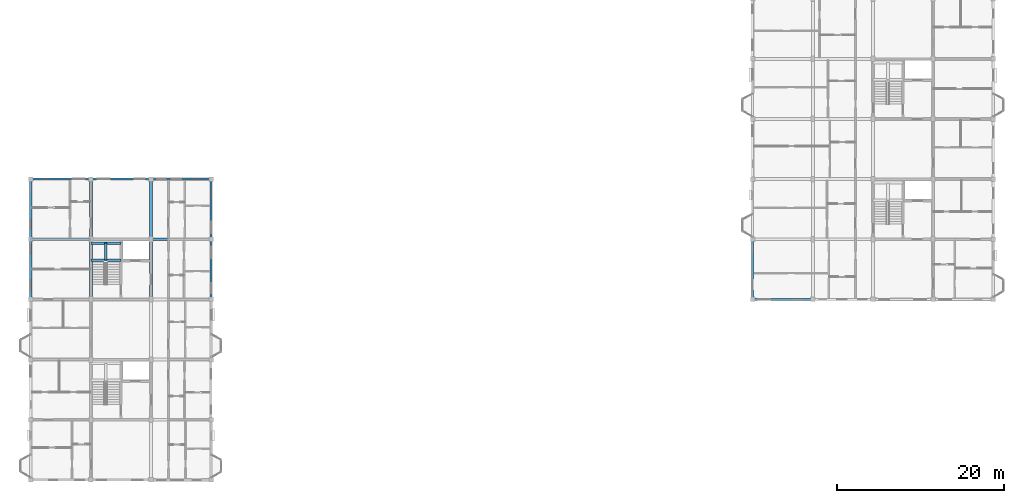
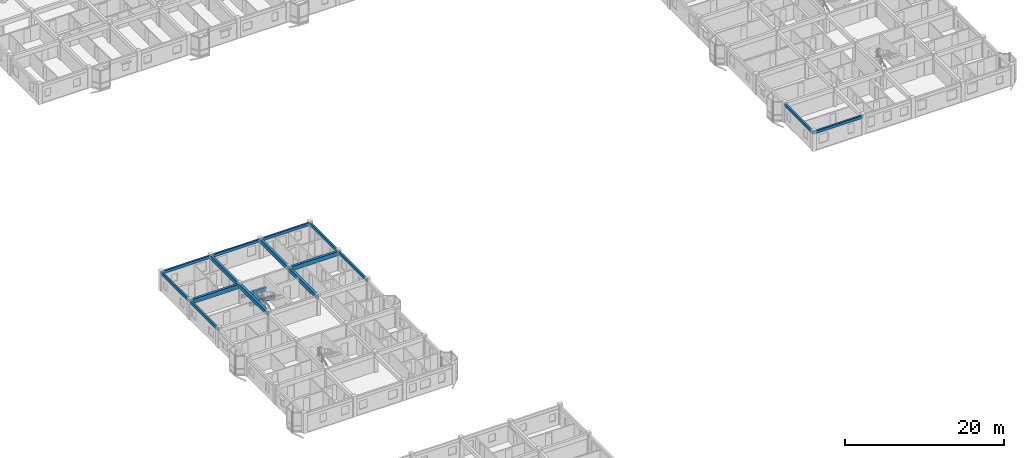
# One storey, part 20 of 77: 18 beams.
"""IFC4 building model written with IfcOpenShell, lengths in metres."""

from ifc_helpers import new_model, si_unit, direction, frame, origin, origin_2d, place, context, subcontext, project, spatial, rectangle, extrude, material, material_profile, profile_set, type_object, element, save


model = new_model("IFC4")

# Units and contexts
model_context = context("Model", 3, precision=1e-05, world=origin(), true_north=direction((0.0, 1.0)))
body_context = subcontext(model_context, "Body", "Model", "MODEL_VIEW")
ifc_project = project(units=[si_unit("LENGTHUNIT", "METRE"), si_unit("AREAUNIT", "SQUARE_METRE"), si_unit("VOLUMEUNIT", "CUBIC_METRE"), si_unit("PLANEANGLEUNIT", "RADIAN"), si_unit("MASSUNIT", "GRAM", prefix="KILO"), si_unit("THERMODYNAMICTEMPERATUREUNIT", "KELVIN"), si_unit("POWERUNIT", "WATT")], contexts=[model_context])

# Site, building, storey
site_placement = place(None, origin())
site = spatial("IfcSite", under=ifc_project, at=site_placement, CompositionType="ELEMENT")
building_placement = place(site_placement, origin())
building = spatial("IfcBuilding", under=site, at=building_placement, Name="Tavuni Mirador Residences", CompositionType="ELEMENT")
storey_placement = place(building_placement, frame((0.0, 0.0, 17.10009765625)))
storey = spatial("IfcBuildingStorey", under=building, at=storey_placement, Name="L05", CompositionType="ELEMENT", Elevation=17.10009765625)

# Beams
ifc_material = material(Name="Precast concrete C40/50", Category="concrete")
ifc_material_profile_1 = material_profile(ifc_material, rectangle(XDim=0.300048828125, YDim=0.5, at=origin_2d()), Name="PC 300x500", Category="concrete")
ifc_profile_set_1 = profile_set([ifc_material_profile_1], Name="Precast concrete C40/50")
beam_type_1 = type_object("IfcBeamType", Name="BT-B500", PredefinedType="BEAM", material=ifc_profile_set_1)
for number, where, z_axis, x_axis, name in (
    (1, (10.800048828125, 91.10009765625, 1.14501953125), (1.0, 0.0, 0.0), (0.0, 1.0, 0.0), "HLB1-C4-L05"),
    (2, (10.800048828125, 93.14990234375, 1.14501953125), (1.0, 0.0, 0.0), (0.0, 1.0, 0.0), "HLB2-C4-L05"),
):
    element("IfcBeam", number, at=place(storey_placement, frame(where, z_axis=z_axis, x_axis=x_axis)), inside=storey, type_object=beam_type_1, Name=name, PredefinedType="BEAM", context=body_context, shape_type="SweptSolid", body=[
        extrude(rectangle(XDim=0.300048828125, YDim=0.5, at=origin_2d()), origin(), (0.0, 0.0, 1.0), 3.599853515625),
    ])
beam_1_placement = place(storey_placement, frame((12.60009765625, 91.10009765625, 1.14501953125), z_axis=(0.0, 1.0, 0.0), x_axis=(-1.0, 0.0, 0.0)))
element("IfcBeam", 3, at=beam_1_placement, inside=storey, type_object=beam_type_1, Name="HLB3-C4-L05", PredefinedType="BEAM", context=body_context, shape_type="SweptSolid", body=[
    extrude(rectangle(XDim=0.300048828125, YDim=0.5, at=origin_2d()), origin(), (0.0, 0.0, 1.0), 2.0498046875),
])
ifc_material_profile_2 = material_profile(ifc_material, rectangle(XDim=0.35009765625, YDim=0.60009765625, at=origin_2d()), Name="PC 350x600", Category="concrete")
ifc_profile_set_2 = profile_set([ifc_material_profile_2], Name="Precast concrete C40/50")
beam_type_2 = type_object("IfcBeamType", Name="BT-B600", PredefinedType="BEAM", material=ifc_profile_set_2)
beam_2_placement = place(storey_placement, frame((10.800048828125, 86.39990234375, 2.60986328125), z_axis=(0.0, 1.0, 0.0), x_axis=(-1.0, 0.0, 0.0)))
element("IfcBeam", 4, at=beam_2_placement, inside=storey, type_object=beam_type_2, Name="BMY-BLK-B-L05-01-03", PredefinedType="BEAM", context=body_context, shape_type="SweptSolid", body=[
    extrude(rectangle(XDim=0.35009765625, YDim=0.60009765625, at=origin_2d()), origin(), (0.0, 0.0, 1.0), 7.2001953125),
])
beam_3_placement = place(storey_placement, frame((10.800048828125, 93.60009765625, 2.60986328125), z_axis=(0.0, 1.0, 0.0), x_axis=(-1.0, 0.0, 0.0)))
element("IfcBeam", 5, at=beam_3_placement, inside=storey, type_object=beam_type_2, Name="BMY-BLK-B-L05-01-04", PredefinedType="BEAM", context=body_context, shape_type="SweptSolid", body=[
    extrude(rectangle(XDim=0.35009765625, YDim=0.60009765625, at=origin_2d()), origin(), (0.0, 0.0, 1.0), 7.199951171875),
])
beam_4_placement = place(storey_placement, frame((18.0, 86.39990234375, 2.60986328125), z_axis=(0.0, 1.0, 0.0), x_axis=(-1.0, 0.0, 0.0)))
element("IfcBeam", 6, at=beam_4_placement, inside=storey, type_object=beam_type_2, Name="BMY-BLK-B-L05-02-03", PredefinedType="BEAM", context=body_context, shape_type="SweptSolid", body=[
    extrude(rectangle(XDim=0.35009765625, YDim=0.60009765625, at=origin_2d()), origin(), (0.0, 0.0, 1.0), 7.2001953125),
])
beam_5_placement = place(storey_placement, frame((18.0, 93.60009765625, 2.60986328125), z_axis=(0.0, 1.0, 0.0), x_axis=(-1.0, 0.0, 0.0)))
element("IfcBeam", 7, at=beam_5_placement, inside=storey, type_object=beam_type_2, Name="BMY-BLK-B-L05-02-04", PredefinedType="BEAM", context=body_context, shape_type="SweptSolid", body=[
    extrude(rectangle(XDim=0.35009765625, YDim=0.60009765625, at=origin_2d()), origin(), (0.0, 0.0, 1.0), 7.199951171875),
])
ifc_material_profile_3 = material_profile(ifc_material, rectangle(XDim=0.35009765625, YDim=0.64990234375, at=origin_2d()), Name="PC 350x650", Category="concrete")
ifc_profile_set_3 = profile_set([ifc_material_profile_3], Name="Precast concrete C40/50")
beam_type_3 = type_object("IfcBeamType", Name="BT-B650", PredefinedType="BEAM", material=ifc_profile_set_3)
for number, where, z_axis, x_axis, name in (
    (8, (3.60009765625, 93.60009765625, 2.5849609375), (1.0, 0.0, 0.0), (0.0, 1.0, 0.0), "BMX-BLK-B-L05-00-04"),
    (9, (18.0, 93.60009765625, 2.5849609375), (1.0, 0.0, 0.0), (0.0, 1.0, 0.0), "BMX-BLK-B-L05-02-04"),
):
    element("IfcBeam", number, at=place(storey_placement, frame(where, z_axis=z_axis, x_axis=x_axis)), inside=storey, type_object=beam_type_3, Name=name, PredefinedType="BEAM", context=body_context, shape_type="SweptSolid", body=[
        extrude(rectangle(XDim=0.35009765625, YDim=0.64990234375, at=origin_2d()), origin(), (0.0, 0.0, 1.0), 7.199951171875),
    ])
ifc_material_profile_4 = material_profile(ifc_material, rectangle(XDim=0.25, YDim=0.419921875, at=origin_2d()), Name="PC 250x420", Category="concrete")
ifc_profile_set_4 = profile_set([ifc_material_profile_4], Name="Precast concrete C40/50")
beam_type_4 = type_object("IfcBeamType", Name="BT-SP420", PredefinedType="SPANDREL", material=ifc_profile_set_4)
for number, where, z_axis, x_axis, name in (
    (10, (3.60009765625, 100.800048828125, 2.699951171875), (1.0, 0.0, 0.0), (0.0, 1.0, 0.0), "BMX-BLK-B-L05-00-05"),
    (11, (10.800048828125, 100.800048828125, 2.699951171875), (1.0, 0.0, 0.0), (0.0, 1.0, 0.0), "BMX-BLK-B-L05-01-05"),
    (12, (18.0, 100.800048828125, 2.699951171875), (1.0, 0.0, 0.0), (0.0, 1.0, 0.0), "BMX-BLK-B-L05-02-05"),
):
    element("IfcBeam", number, at=place(storey_placement, frame(where, z_axis=z_axis, x_axis=x_axis)), inside=storey, type_object=beam_type_4, Name=name, PredefinedType="SPANDREL", context=body_context, shape_type="SweptSolid", body=[
        extrude(rectangle(XDim=0.25, YDim=0.419921875, at=origin_2d()), origin(), (0.0, 0.0, 1.0), 7.199951171875),
    ])
beam_6_placement = place(storey_placement, frame((3.60009765625, 86.39990234375, 2.699951171875), z_axis=(0.0, 1.0, 0.0), x_axis=(-1.0, 0.0, 0.0)))
element("IfcBeam", 13, at=beam_6_placement, inside=storey, type_object=beam_type_4, Name="BMY-BLK-B-L05-00-03", PredefinedType="SPANDREL", context=body_context, shape_type="SweptSolid", body=[
    extrude(rectangle(XDim=0.25, YDim=0.419921875, at=origin_2d()), origin(), (0.0, 0.0, 1.0), 7.2001953125),
])
beam_7_placement = place(storey_placement, frame((3.60009765625, 93.60009765625, 2.699951171875), z_axis=(0.0, 1.0, 0.0), x_axis=(-1.0, 0.0, 0.0)))
element("IfcBeam", 14, at=beam_7_placement, inside=storey, type_object=beam_type_4, Name="BMY-BLK-B-L05-00-04", PredefinedType="SPANDREL", context=body_context, shape_type="SweptSolid", body=[
    extrude(rectangle(XDim=0.25, YDim=0.419921875, at=origin_2d()), origin(), (0.0, 0.0, 1.0), 7.199951171875),
])
beam_8_placement = place(storey_placement, frame((25.199951171875, 86.39990234375, 2.699951171875), z_axis=(0.0, 1.0, 0.0), x_axis=(-1.0, 0.0, 0.0)))
element("IfcBeam", 15, at=beam_8_placement, inside=storey, type_object=beam_type_4, Name="BMY-BLK-B-L05-03-03", PredefinedType="SPANDREL", context=body_context, shape_type="SweptSolid", body=[
    extrude(rectangle(XDim=0.25, YDim=0.419921875, at=origin_2d()), origin(), (0.0, 0.0, 1.0), 7.2001953125),
])
for number, where, z_axis, x_axis, name in (
    (16, (25.199951171875, 93.60009765625, 2.699951171875), (0.0, 1.0, 0.0), (-1.0, 0.0, 0.0), "BMY-BLK-B-L05-03-04"),
    (17, (90.0, 86.39990234375, 2.679931640625), (1.0, 0.0, 0.0), (0.0, 1.0, 0.0), "BMX-BLK-D-L05-00-00"),
):
    element("IfcBeam", number, at=place(storey_placement, frame(where, z_axis=z_axis, x_axis=x_axis)), inside=storey, type_object=beam_type_4, Name=name, PredefinedType="SPANDREL", context=body_context, shape_type="SweptSolid", body=[
        extrude(rectangle(XDim=0.25, YDim=0.419921875, at=origin_2d()), origin(), (0.0, 0.0, 1.0), 7.199951171875),
    ])
beam_9_placement = place(storey_placement, frame((90.0, 86.39990234375, 2.679931640625), z_axis=(0.0, 1.0, 0.0), x_axis=(-1.0, 0.0, 0.0)))
element("IfcBeam", 18, at=beam_9_placement, inside=storey, type_object=beam_type_4, Name="BMY-BLK-D-L05-00-00", PredefinedType="SPANDREL", context=body_context, shape_type="SweptSolid", body=[
    extrude(rectangle(XDim=0.25, YDim=0.419921875, at=origin_2d()), origin(), (0.0, 0.0, 1.0), 7.2001953125),
])

save(model, "model.ifc")
